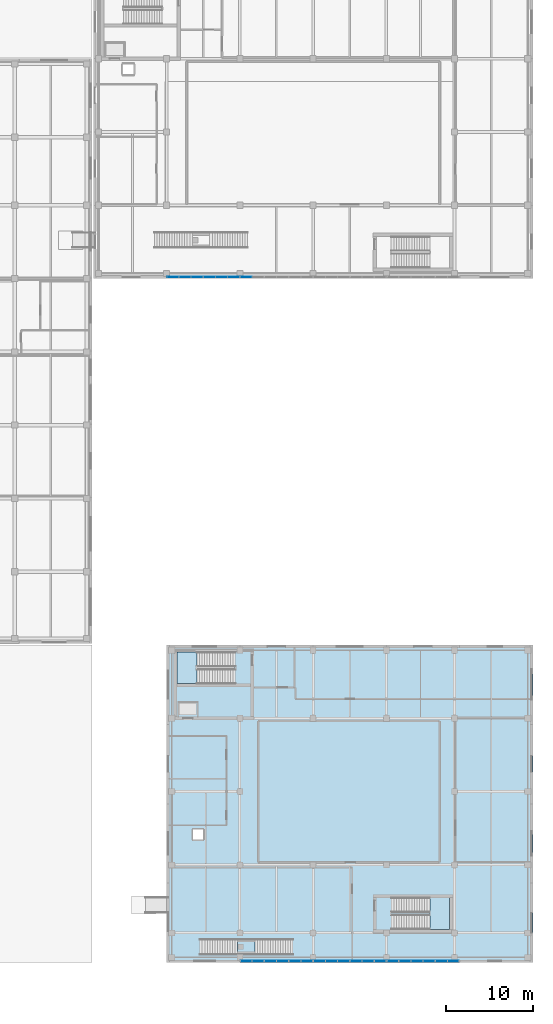
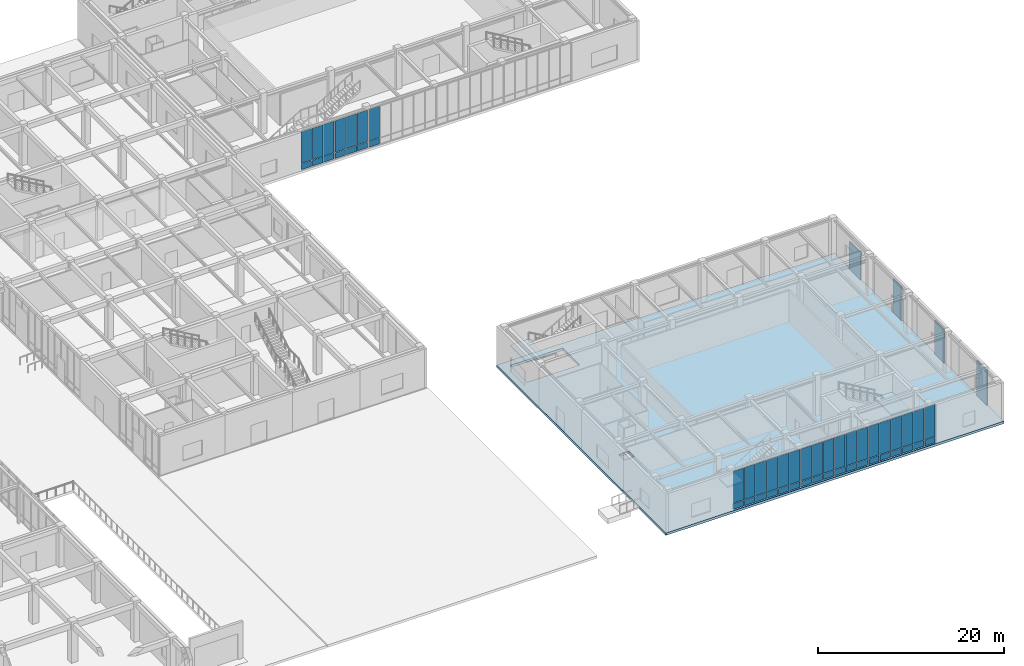
# One storey, part 88 of 122: 54 plates, 4 slabs, 8 elements without a shape of their own.
"""IFC4 building model written with IfcOpenShell, lengths in metres."""

from ifc_helpers import new_model, si_unit, direction, frame, origin, origin_2d, place, context, subcontext, project, spatial, polyline, rectangle, outline, extrude, material, layer, layer_set, type_object, element, aggregate, save


model = new_model("IFC4")

# Units and contexts
model_context = context("Model", 3, precision=1e-05, world=origin(), true_north=direction((0.0, 1.0)))
body_context = subcontext(model_context, "Body", "Model", "MODEL_VIEW")
ifc_project = project(units=[si_unit("LENGTHUNIT", "METRE"), si_unit("AREAUNIT", "SQUARE_METRE"), si_unit("VOLUMEUNIT", "CUBIC_METRE"), si_unit("PLANEANGLEUNIT", "RADIAN"), si_unit("MASSUNIT", "GRAM", prefix="KILO")], contexts=[model_context])

# Site, building, storey
site_placement = place(None, origin())
site = spatial("IfcSite", under=ifc_project, at=site_placement, CompositionType="ELEMENT")
building_placement = place(site_placement, origin())
building = spatial("IfcBuilding", under=site, at=building_placement, Name="Zayran Congress Hotel", CompositionType="ELEMENT")
storey_placement = place(building_placement, origin())
storey = spatial("IfcBuildingStorey", under=building, at=storey_placement, Name="L00", CompositionType="ELEMENT", Elevation=0.0)

# Slab
ifc_material_1 = material(Name="Concrete C32/40", Category="concrete")
ifc_layer_1 = layer(ifc_material_1, 0.320068359375)
ifc_layer_set_1 = layer_set([ifc_layer_1], Name="Concrete C32/40")
slab_type_1 = type_object("IfcSlabType", Name="SL-PD-320", PredefinedType="FLOOR", material=ifc_layer_set_1)
slab_1_placement = place(storey_placement, frame((0.0, 0.0, -0.320068359375)))
element("IfcSlab", 1, at=slab_1_placement, inside=storey, type_object=slab_type_1, Name="SLB-V3-L00-013", PredefinedType="FLOOR", context=body_context, shape_type="SweptSolid", body=[
    extrude(outline(polyline([(151.199951171875, 6.0), (193.199951171875, 6.0), (193.199951171875, 42.39990234375), (151.199951171875, 42.39990234375), (151.199951171875, 6.0)]), holes=[polyline([(152.39990234375, 37.9599609375), (158.9599609375, 37.9599609375), (158.9599609375, 41.60009765625), (152.39990234375, 41.60009765625), (152.39990234375, 37.9599609375)]), polyline([(154.199951171875, 20.10009765625), (155.419921875, 20.10009765625), (155.419921875, 21.280029296875), (154.199951171875, 21.280029296875), (154.199951171875, 20.10009765625)])]), origin(), (0.0, 0.0, 1.0), 0.320068359375),
])

# Plates
ifc_material_2 = material(Name="Ajlun reconstituted limestone claustra", Category="masonry")
ifc_layer_2 = layer(ifc_material_2, 0.139892578125)
ifc_layer_set_2 = layer_set([ifc_layer_2], Name="Ajlun reconstituted limestone claustra")
plate_type_1 = type_object("IfcPlateType", Name="TP-CLS-02", PredefinedType="USERDEFINED", material=ifc_layer_set_2)
plate_1_placement = place(storey_placement, frame((193.1201171875, 10.550048828125, 0.0), z_axis=(0.0, 0.0, 1.0), x_axis=(0.0, 1.0, 0.0)))
element("IfcPlate", 2, at=plate_1_placement, inside=storey, type_object=plate_type_1, Name="Pierced Claustra Screen 1", ObjectType="CLAUSTRA SCREEN", PredefinedType="USERDEFINED", context=body_context, shape_type="SweptSolid", body=[
    extrude(rectangle(XDim=2.199951171875, YDim=0.139892578125, at=origin_2d()), origin(), (0.0, 0.0, 1.0), 4.60009765625),
])
ifc_layer_3 = layer(ifc_material_2, 0.139892578125)
ifc_layer_set_3 = layer_set([ifc_layer_3], Name="Ajlun reconstituted limestone claustra")
plate_type_2 = type_object("IfcPlateType", Name="TP-CLS-03", PredefinedType="USERDEFINED", material=ifc_layer_set_3)
plate_2_placement = place(storey_placement, frame((193.1201171875, 19.64990234375, 0.0), z_axis=(0.0, 0.0, 1.0), x_axis=(0.0, 1.0, 0.0)))
element("IfcPlate", 3, at=plate_2_placement, inside=storey, type_object=plate_type_2, Name="Pierced Claustra Screen 2", ObjectType="CLAUSTRA SCREEN", PredefinedType="USERDEFINED", context=body_context, shape_type="SweptSolid", body=[
    extrude(rectangle(XDim=2.0, YDim=0.139892578125, at=origin_2d()), origin(), (0.0, 0.0, 1.0), 4.39990234375),
])
ifc_layer_4 = layer(ifc_material_2, 0.139892578125)
ifc_layer_set_4 = layer_set([ifc_layer_4], Name="Ajlun reconstituted limestone claustra")
plate_type_3 = type_object("IfcPlateType", Name="TP-CLS-04", PredefinedType="USERDEFINED", material=ifc_layer_set_4)
plate_3_placement = place(storey_placement, frame((193.1201171875, 28.75, 0.0), z_axis=(0.0, 0.0, 1.0), x_axis=(0.0, 1.0, 0.0)))
element("IfcPlate", 4, at=plate_3_placement, inside=storey, type_object=plate_type_3, Name="Pierced Claustra Screen 3", ObjectType="CLAUSTRA SCREEN", PredefinedType="USERDEFINED", context=body_context, shape_type="SweptSolid", body=[
    extrude(rectangle(XDim=1.800048828125, YDim=0.139892578125, at=origin_2d()), origin(), (0.0, 0.0, 1.0), 4.39990234375),
])
ifc_layer_5 = layer(ifc_material_2, 0.1201171875)
ifc_layer_set_5 = layer_set([ifc_layer_5], Name="Ajlun reconstituted limestone claustra")
plate_type_4 = type_object("IfcPlateType", Name="TP-CLS-05", PredefinedType="USERDEFINED", material=ifc_layer_set_5)
plate_4_placement = place(storey_placement, frame((193.1201171875, 37.85009765625, 0.0), z_axis=(0.0, 0.0, 1.0), x_axis=(0.0, 1.0, 0.0)))
element("IfcPlate", 5, at=plate_4_placement, inside=storey, type_object=plate_type_4, Name="Pierced Claustra Screen 4", ObjectType="CLAUSTRA SCREEN", PredefinedType="USERDEFINED", context=body_context, shape_type="SweptSolid", body=[
    extrude(rectangle(XDim=2.39990234375, YDim=0.1201171875, at=origin_2d()), origin(), (0.0, 0.0, 1.0), 3.60009765625),
])

# Curtain wall, plates
ifc_material_3 = material(Name="Anodised aluminium and low-E insulated glass", Category="aluminium")
ifc_layer_6 = layer(ifc_material_3, 0.179931640625)
ifc_layer_set_6 = layer_set([ifc_layer_6], Name="Anodised aluminium and low-E insulated glass")
curtain_wall_type_1 = type_object("IfcCurtainWallType", Name="CW-V2S-L00-CW-V22-8395-5080", PredefinedType="USERDEFINED", material=ifc_layer_set_6)
curtain_wall_1_placement = place(storey_placement, origin())
curtain_wall_1 = element("IfcCurtainWall", 6, at=curtain_wall_1_placement, inside=storey, type_object=curtain_wall_type_1, Name="CW-V2S-L00-1", ObjectType="CURTAIN WALL", PredefinedType="USERDEFINED")
ifc_layer_7 = layer(ifc_material_3, 0.028076171875)
ifc_layer_set_7 = layer_set([ifc_layer_7], Name="Anodised aluminium and low-E insulated glass")
plate_type_5 = type_object("IfcPlateType", Name="CWP-GL-1279-4150", PredefinedType="CURTAIN_PANEL", material=ifc_layer_set_7)
plate_5_placement = place(storey_placement, frame((151.919677734375, 84.570068359375, 0.8701171875), z_axis=(0.0, 0.0, 1.0), x_axis=(1.0, 0.0, 0.0)))
plate_5 = element("IfcPlate", 7, at=plate_5_placement, type_object=plate_type_5, Name="CW-V22 Glazed Panel 1", PredefinedType="CURTAIN_PANEL", context=body_context, shape_type="SweptSolid", body=[
    extrude(rectangle(XDim=1.279296875, YDim=0.028076171875, at=origin_2d()), origin(), (0.0, 0.0, 1.0), 4.14990234375),
])
plate_6_placement = place(storey_placement, frame((153.298583984375, 84.570068359375, 0.8701171875), z_axis=(0.0, 0.0, 1.0), x_axis=(1.0, 0.0, 0.0)))
plate_6 = element("IfcPlate", 8, at=plate_6_placement, type_object=plate_type_5, Name="CW-V22 Glazed Panel 2", PredefinedType="CURTAIN_PANEL", context=body_context, shape_type="SweptSolid", body=[
    extrude(rectangle(XDim=1.319091796875, YDim=0.028076171875, at=origin_2d()), origin(), (0.0, 0.0, 1.0), 4.14990234375),
])
plate_7_placement = place(storey_placement, frame((154.697998046875, 84.570068359375, 0.8701171875), z_axis=(0.0, 0.0, 1.0), x_axis=(1.0, 0.0, 0.0)))
plate_7 = element("IfcPlate", 9, at=plate_7_placement, type_object=plate_type_5, Name="CW-V22 Glazed Panel 3", PredefinedType="CURTAIN_PANEL", context=body_context, shape_type="SweptSolid", body=[
    extrude(rectangle(XDim=1.319091796875, YDim=0.028076171875, at=origin_2d()), origin(), (0.0, 0.0, 1.0), 4.14990234375),
])
plate_8_placement = place(storey_placement, frame((156.09716796875, 84.570068359375, 0.8701171875), z_axis=(0.0, 0.0, 1.0), x_axis=(1.0, 0.0, 0.0)))
plate_8 = element("IfcPlate", 10, at=plate_8_placement, type_object=plate_type_5, Name="CW-V22 Glazed Panel 4", PredefinedType="CURTAIN_PANEL", context=body_context, shape_type="SweptSolid", body=[
    extrude(rectangle(XDim=1.319091796875, YDim=0.028076171875, at=origin_2d()), origin(), (0.0, 0.0, 1.0), 4.14990234375),
])
plate_9_placement = place(storey_placement, frame((157.496337890625, 84.570068359375, 0.8701171875), z_axis=(0.0, 0.0, 1.0), x_axis=(1.0, 0.0, 0.0)))
plate_9 = element("IfcPlate", 11, at=plate_9_placement, type_object=plate_type_5, Name="CW-V22 Glazed Panel 5", PredefinedType="CURTAIN_PANEL", context=body_context, shape_type="SweptSolid", body=[
    extrude(rectangle(XDim=1.319091796875, YDim=0.028076171875, at=origin_2d()), origin(), (0.0, 0.0, 1.0), 4.14990234375),
])
plate_10_placement = place(storey_placement, frame((158.87548828125, 84.570068359375, 0.8701171875), z_axis=(0.0, 0.0, 1.0), x_axis=(1.0, 0.0, 0.0)))
plate_10 = element("IfcPlate", 12, at=plate_10_placement, type_object=plate_type_5, Name="CW-V22 Glazed Panel 6", PredefinedType="CURTAIN_PANEL", context=body_context, shape_type="SweptSolid", body=[
    extrude(rectangle(XDim=1.279296875, YDim=0.028076171875, at=origin_2d()), origin(), (0.0, 0.0, 1.0), 4.14990234375),
])
ifc_material_4 = material(Name="Insulated warm bronze aluminium spandrel panel", Category="aluminium")
ifc_layer_8 = layer(ifc_material_4, 0.06005859375)
ifc_layer_set_8 = layer_set([ifc_layer_8], Name="Insulated warm bronze aluminium spandrel panel")
plate_type_6 = type_object("IfcPlateType", Name="CWP-SP-1279-750", PredefinedType="CURTAIN_PANEL", material=ifc_layer_set_8)
plate_11_placement = place(storey_placement, frame((151.919677734375, 84.570068359375, 0.06005859375), z_axis=(0.0, 0.0, 1.0), x_axis=(1.0, 0.0, 0.0)))
plate_11 = element("IfcPlate", 13, at=plate_11_placement, type_object=plate_type_6, Name="CW-V22 Spandrel Panel 1", PredefinedType="CURTAIN_PANEL", context=body_context, shape_type="SweptSolid", body=[
    extrude(rectangle(XDim=1.279296875, YDim=0.06005859375, at=origin_2d()), origin(), (0.0, 0.0, 1.0), 0.75),
])
plate_12_placement = place(storey_placement, frame((153.298583984375, 84.570068359375, 0.06005859375), z_axis=(0.0, 0.0, 1.0), x_axis=(1.0, 0.0, 0.0)))
plate_12 = element("IfcPlate", 14, at=plate_12_placement, type_object=plate_type_6, Name="CW-V22 Spandrel Panel 2", PredefinedType="CURTAIN_PANEL", context=body_context, shape_type="SweptSolid", body=[
    extrude(rectangle(XDim=1.319091796875, YDim=0.06005859375, at=origin_2d()), origin(), (0.0, 0.0, 1.0), 0.75),
])
plate_13_placement = place(storey_placement, frame((154.697998046875, 84.570068359375, 0.06005859375), z_axis=(0.0, 0.0, 1.0), x_axis=(1.0, 0.0, 0.0)))
plate_13 = element("IfcPlate", 15, at=plate_13_placement, type_object=plate_type_6, Name="CW-V22 Spandrel Panel 3", PredefinedType="CURTAIN_PANEL", context=body_context, shape_type="SweptSolid", body=[
    extrude(rectangle(XDim=1.319091796875, YDim=0.06005859375, at=origin_2d()), origin(), (0.0, 0.0, 1.0), 0.75),
])
plate_14_placement = place(storey_placement, frame((156.09716796875, 84.570068359375, 0.06005859375), z_axis=(0.0, 0.0, 1.0), x_axis=(1.0, 0.0, 0.0)))
plate_14 = element("IfcPlate", 16, at=plate_14_placement, type_object=plate_type_6, Name="CW-V22 Spandrel Panel 4", PredefinedType="CURTAIN_PANEL", context=body_context, shape_type="SweptSolid", body=[
    extrude(rectangle(XDim=1.319091796875, YDim=0.06005859375, at=origin_2d()), origin(), (0.0, 0.0, 1.0), 0.75),
])
plate_15_placement = place(storey_placement, frame((157.496337890625, 84.570068359375, 0.06005859375), z_axis=(0.0, 0.0, 1.0), x_axis=(1.0, 0.0, 0.0)))
plate_15 = element("IfcPlate", 17, at=plate_15_placement, type_object=plate_type_6, Name="CW-V22 Spandrel Panel 5", PredefinedType="CURTAIN_PANEL", context=body_context, shape_type="SweptSolid", body=[
    extrude(rectangle(XDim=1.319091796875, YDim=0.06005859375, at=origin_2d()), origin(), (0.0, 0.0, 1.0), 0.75),
])
plate_16_placement = place(storey_placement, frame((158.87548828125, 84.570068359375, 0.06005859375), z_axis=(0.0, 0.0, 1.0), x_axis=(1.0, 0.0, 0.0)))
plate_16 = element("IfcPlate", 18, at=plate_16_placement, type_object=plate_type_6, Name="CW-V22 Spandrel Panel 6", PredefinedType="CURTAIN_PANEL", context=body_context, shape_type="SweptSolid", body=[
    extrude(rectangle(XDim=1.279296875, YDim=0.06005859375, at=origin_2d()), origin(), (0.0, 0.0, 1.0), 0.75),
])
aggregate(curtain_wall_1, [plate_11, plate_5, plate_12, plate_6, plate_13, plate_7, plate_14, plate_8, plate_15, plate_9, plate_16, plate_10])

ifc_layer_9 = layer(ifc_material_3, 0.179931640625)
ifc_layer_set_9 = layer_set([ifc_layer_9], Name="Anodised aluminium and low-E insulated glass")
curtain_wall_type_2 = type_object("IfcCurtainWallType", Name="CW-V3S-L00-CW-V32-8395-5100", PredefinedType="USERDEFINED", material=ifc_layer_set_9)
curtain_wall_2_placement = place(storey_placement, origin())
curtain_wall_2 = element("IfcCurtainWall", 19, at=curtain_wall_2_placement, inside=storey, type_object=curtain_wall_type_2, Name="CW-V3S-L00-1", ObjectType="CURTAIN WALL", PredefinedType="USERDEFINED")
plate_17_placement = place(storey_placement, frame((160.319580078125, 6.159912109375, 0.06005859375), z_axis=(0.0, 0.0, 1.0), x_axis=(1.0, 0.0, 0.0)))
plate_17 = element("IfcPlate", 20, at=plate_17_placement, type_object=plate_type_6, Name="CW-V32 Spandrel Panel 1", PredefinedType="CURTAIN_PANEL", context=body_context, shape_type="SweptSolid", body=[
    extrude(rectangle(XDim=1.279296875, YDim=0.06005859375, at=origin_2d()), origin(), (0.0, 0.0, 1.0), 0.75),
])
plate_18_placement = place(storey_placement, frame((161.69873046875, 6.159912109375, 0.06005859375), z_axis=(0.0, 0.0, 1.0), x_axis=(1.0, 0.0, 0.0)))
plate_18 = element("IfcPlate", 21, at=plate_18_placement, type_object=plate_type_6, Name="CW-V32 Spandrel Panel 2", PredefinedType="CURTAIN_PANEL", context=body_context, shape_type="SweptSolid", body=[
    extrude(rectangle(XDim=1.319091796875, YDim=0.06005859375, at=origin_2d()), origin(), (0.0, 0.0, 1.0), 0.75),
])
plate_19_placement = place(storey_placement, frame((163.097900390625, 6.159912109375, 0.06005859375), z_axis=(0.0, 0.0, 1.0), x_axis=(1.0, 0.0, 0.0)))
plate_19 = element("IfcPlate", 22, at=plate_19_placement, type_object=plate_type_6, Name="CW-V32 Spandrel Panel 3", PredefinedType="CURTAIN_PANEL", context=body_context, shape_type="SweptSolid", body=[
    extrude(rectangle(XDim=1.319091796875, YDim=0.06005859375, at=origin_2d()), origin(), (0.0, 0.0, 1.0), 0.75),
])
plate_20_placement = place(storey_placement, frame((164.4970703125, 6.159912109375, 0.06005859375), z_axis=(0.0, 0.0, 1.0), x_axis=(1.0, 0.0, 0.0)))
plate_20 = element("IfcPlate", 23, at=plate_20_placement, type_object=plate_type_6, Name="CW-V32 Spandrel Panel 4", PredefinedType="CURTAIN_PANEL", context=body_context, shape_type="SweptSolid", body=[
    extrude(rectangle(XDim=1.319091796875, YDim=0.06005859375, at=origin_2d()), origin(), (0.0, 0.0, 1.0), 0.75),
])
plate_21_placement = place(storey_placement, frame((165.896240234375, 6.159912109375, 0.06005859375), z_axis=(0.0, 0.0, 1.0), x_axis=(1.0, 0.0, 0.0)))
plate_21 = element("IfcPlate", 24, at=plate_21_placement, type_object=plate_type_6, Name="CW-V32 Spandrel Panel 5", PredefinedType="CURTAIN_PANEL", context=body_context, shape_type="SweptSolid", body=[
    extrude(rectangle(XDim=1.319091796875, YDim=0.06005859375, at=origin_2d()), origin(), (0.0, 0.0, 1.0), 0.75),
])
plate_22_placement = place(storey_placement, frame((167.275390625, 6.159912109375, 0.06005859375), z_axis=(0.0, 0.0, 1.0), x_axis=(1.0, 0.0, 0.0)))
plate_22 = element("IfcPlate", 25, at=plate_22_placement, type_object=plate_type_6, Name="CW-V32 Spandrel Panel 6", PredefinedType="CURTAIN_PANEL", context=body_context, shape_type="SweptSolid", body=[
    extrude(rectangle(XDim=1.279296875, YDim=0.06005859375, at=origin_2d()), origin(), (0.0, 0.0, 1.0), 0.75),
])

curtain_wall_3_placement = place(storey_placement, origin())
curtain_wall_3 = element("IfcCurtainWall", 26, at=curtain_wall_3_placement, inside=storey, type_object=curtain_wall_type_2, Name="CW-V3S-L00-3", ObjectType="CURTAIN WALL", PredefinedType="USERDEFINED")
plate_23_placement = place(storey_placement, frame((177.12451171875, 6.159912109375, 0.06005859375), z_axis=(0.0, 0.0, 1.0), x_axis=(1.0, 0.0, 0.0)))
plate_23 = element("IfcPlate", 27, at=plate_23_placement, type_object=plate_type_6, Name="CW-V32 Spandrel Panel 1", PredefinedType="CURTAIN_PANEL", context=body_context, shape_type="SweptSolid", body=[
    extrude(rectangle(XDim=1.279296875, YDim=0.06005859375, at=origin_2d()), origin(), (0.0, 0.0, 1.0), 0.75),
])
plate_24_placement = place(storey_placement, frame((178.503662109375, 6.159912109375, 0.06005859375), z_axis=(0.0, 0.0, 1.0), x_axis=(1.0, 0.0, 0.0)))
plate_24 = element("IfcPlate", 28, at=plate_24_placement, type_object=plate_type_6, Name="CW-V32 Spandrel Panel 2", PredefinedType="CURTAIN_PANEL", context=body_context, shape_type="SweptSolid", body=[
    extrude(rectangle(XDim=1.319091796875, YDim=0.06005859375, at=origin_2d()), origin(), (0.0, 0.0, 1.0), 0.75),
])
plate_25_placement = place(storey_placement, frame((179.90283203125, 6.159912109375, 0.06005859375), z_axis=(0.0, 0.0, 1.0), x_axis=(1.0, 0.0, 0.0)))
plate_25 = element("IfcPlate", 29, at=plate_25_placement, type_object=plate_type_6, Name="CW-V32 Spandrel Panel 3", PredefinedType="CURTAIN_PANEL", context=body_context, shape_type="SweptSolid", body=[
    extrude(rectangle(XDim=1.319091796875, YDim=0.06005859375, at=origin_2d()), origin(), (0.0, 0.0, 1.0), 0.75),
])
plate_26_placement = place(storey_placement, frame((181.302001953125, 6.159912109375, 0.06005859375), z_axis=(0.0, 0.0, 1.0), x_axis=(1.0, 0.0, 0.0)))
plate_26 = element("IfcPlate", 30, at=plate_26_placement, type_object=plate_type_6, Name="CW-V32 Spandrel Panel 4", PredefinedType="CURTAIN_PANEL", context=body_context, shape_type="SweptSolid", body=[
    extrude(rectangle(XDim=1.319091796875, YDim=0.06005859375, at=origin_2d()), origin(), (0.0, 0.0, 1.0), 0.75),
])
plate_27_placement = place(storey_placement, frame((182.701416015625, 6.159912109375, 0.06005859375), z_axis=(0.0, 0.0, 1.0), x_axis=(1.0, 0.0, 0.0)))
plate_27 = element("IfcPlate", 31, at=plate_27_placement, type_object=plate_type_6, Name="CW-V32 Spandrel Panel 5", PredefinedType="CURTAIN_PANEL", context=body_context, shape_type="SweptSolid", body=[
    extrude(rectangle(XDim=1.319091796875, YDim=0.06005859375, at=origin_2d()), origin(), (0.0, 0.0, 1.0), 0.75),
])
plate_28_placement = place(storey_placement, frame((184.080322265625, 6.159912109375, 0.06005859375), z_axis=(0.0, 0.0, 1.0), x_axis=(1.0, 0.0, 0.0)))
plate_28 = element("IfcPlate", 32, at=plate_28_placement, type_object=plate_type_6, Name="CW-V32 Spandrel Panel 6", PredefinedType="CURTAIN_PANEL", context=body_context, shape_type="SweptSolid", body=[
    extrude(rectangle(XDim=1.279296875, YDim=0.06005859375, at=origin_2d()), origin(), (0.0, 0.0, 1.0), 0.75),
])

ifc_layer_10 = layer(ifc_material_3, 0.179931640625)
ifc_layer_set_10 = layer_set([ifc_layer_10], Name="Anodised aluminium and low-E insulated glass")
curtain_wall_type_3 = type_object("IfcCurtainWallType", Name="CW-V2S-L00-CW-V21-8390-5080", PredefinedType="USERDEFINED", material=ifc_layer_set_10)
curtain_wall_4_placement = place(storey_placement, origin())
curtain_wall_4 = element("IfcCurtainWall", 33, at=curtain_wall_4_placement, inside=storey, type_object=curtain_wall_type_3, Name="CW-V2S-L00-2", ObjectType="CURTAIN WALL", PredefinedType="USERDEFINED")
ifc_layer_11 = layer(ifc_material_3, 0.028076171875)
ifc_layer_set_11 = layer_set([ifc_layer_11], Name="Anodised aluminium and low-E insulated glass")
plate_type_7 = type_object("IfcPlateType", Name="CWP-GL-1278-4150", PredefinedType="CURTAIN_PANEL", material=ifc_layer_set_11)
plate_29_placement = place(storey_placement, frame((160.32421875, 84.570068359375, 0.8701171875), z_axis=(0.0, 0.0, 1.0), x_axis=(1.0, 0.0, 0.0)))
plate_29 = element("IfcPlate", 34, at=plate_29_placement, type_object=plate_type_7, Name="CW-V21 Glazed Panel 1", PredefinedType="CURTAIN_PANEL", context=body_context, shape_type="SweptSolid", body=[
    extrude(rectangle(XDim=1.2783203125, YDim=0.028076171875, at=origin_2d()), origin(), (0.0, 0.0, 1.0), 4.14990234375),
])
ifc_layer_12 = layer(ifc_material_4, 0.06005859375)
ifc_layer_set_12 = layer_set([ifc_layer_12], Name="Insulated warm bronze aluminium spandrel panel")
plate_type_8 = type_object("IfcPlateType", Name="CWP-SP-1278-750", PredefinedType="CURTAIN_PANEL", material=ifc_layer_set_12)
plate_30_placement = place(storey_placement, frame((160.32421875, 84.570068359375, 0.06005859375), z_axis=(0.0, 0.0, 1.0), x_axis=(1.0, 0.0, 0.0)))
plate_30 = element("IfcPlate", 35, at=plate_30_placement, type_object=plate_type_8, Name="CW-V21 Spandrel Panel 1", PredefinedType="CURTAIN_PANEL", context=body_context, shape_type="SweptSolid", body=[
    extrude(rectangle(XDim=1.2783203125, YDim=0.06005859375, at=origin_2d()), origin(), (0.0, 0.0, 1.0), 0.75),
])
aggregate(curtain_wall_4, [plate_30, plate_29])

ifc_layer_13 = layer(ifc_material_3, 0.179931640625)
ifc_layer_set_13 = layer_set([ifc_layer_13], Name="Anodised aluminium and low-E insulated glass")
curtain_wall_type_4 = type_object("IfcCurtainWallType", Name="CW-V3S-L00-CW-V31-8390-5100", PredefinedType="USERDEFINED", material=ifc_layer_set_13)
curtain_wall_5_placement = place(storey_placement, origin())
curtain_wall_5 = element("IfcCurtainWall", 36, at=curtain_wall_5_placement, inside=storey, type_object=curtain_wall_type_4, Name="CW-V3S-L00-2", ObjectType="CURTAIN WALL", PredefinedType="USERDEFINED")
plate_31_placement = place(storey_placement, frame((168.72412109375, 6.159912109375, 0.06005859375), z_axis=(0.0, 0.0, 1.0), x_axis=(1.0, 0.0, 0.0)))
plate_31 = element("IfcPlate", 37, at=plate_31_placement, type_object=plate_type_8, Name="CW-V31 Spandrel Panel 1", PredefinedType="CURTAIN_PANEL", context=body_context, shape_type="SweptSolid", body=[
    extrude(rectangle(XDim=1.2783203125, YDim=0.06005859375, at=origin_2d()), origin(), (0.0, 0.0, 1.0), 0.75),
])
plate_32_placement = place(storey_placement, frame((170.1025390625, 6.159912109375, 0.06005859375), z_axis=(0.0, 0.0, 1.0), x_axis=(1.0, 0.0, 0.0)))
plate_32 = element("IfcPlate", 38, at=plate_32_placement, type_object=plate_type_8, Name="CW-V31 Spandrel Panel 2", PredefinedType="CURTAIN_PANEL", context=body_context, shape_type="SweptSolid", body=[
    extrude(rectangle(XDim=1.318359375, YDim=0.06005859375, at=origin_2d()), origin(), (0.0, 0.0, 1.0), 0.75),
])
plate_33_placement = place(storey_placement, frame((171.500732421875, 6.159912109375, 0.06005859375), z_axis=(0.0, 0.0, 1.0), x_axis=(1.0, 0.0, 0.0)))
plate_33 = element("IfcPlate", 39, at=plate_33_placement, type_object=plate_type_8, Name="CW-V31 Spandrel Panel 3", PredefinedType="CURTAIN_PANEL", context=body_context, shape_type="SweptSolid", body=[
    extrude(rectangle(XDim=1.318359375, YDim=0.06005859375, at=origin_2d()), origin(), (0.0, 0.0, 1.0), 0.75),
])
plate_34_placement = place(storey_placement, frame((172.899169921875, 6.159912109375, 0.06005859375), z_axis=(0.0, 0.0, 1.0), x_axis=(1.0, 0.0, 0.0)))
plate_34 = element("IfcPlate", 40, at=plate_34_placement, type_object=plate_type_8, Name="CW-V31 Spandrel Panel 4", PredefinedType="CURTAIN_PANEL", context=body_context, shape_type="SweptSolid", body=[
    extrude(rectangle(XDim=1.318359375, YDim=0.06005859375, at=origin_2d()), origin(), (0.0, 0.0, 1.0), 0.75),
])
plate_35_placement = place(storey_placement, frame((174.297607421875, 6.159912109375, 0.06005859375), z_axis=(0.0, 0.0, 1.0), x_axis=(1.0, 0.0, 0.0)))
plate_35 = element("IfcPlate", 41, at=plate_35_placement, type_object=plate_type_8, Name="CW-V31 Spandrel Panel 5", PredefinedType="CURTAIN_PANEL", context=body_context, shape_type="SweptSolid", body=[
    extrude(rectangle(XDim=1.318359375, YDim=0.06005859375, at=origin_2d()), origin(), (0.0, 0.0, 1.0), 0.75),
])
plate_36_placement = place(storey_placement, frame((175.67578125, 6.159912109375, 0.06005859375), z_axis=(0.0, 0.0, 1.0), x_axis=(1.0, 0.0, 0.0)))
plate_36 = element("IfcPlate", 42, at=plate_36_placement, type_object=plate_type_8, Name="CW-V31 Spandrel Panel 6", PredefinedType="CURTAIN_PANEL", context=body_context, shape_type="SweptSolid", body=[
    extrude(rectangle(XDim=1.2783203125, YDim=0.06005859375, at=origin_2d()), origin(), (0.0, 0.0, 1.0), 0.75),
])

# Plate
ifc_layer_14 = layer(ifc_material_3, 0.028076171875)
ifc_layer_set_14 = layer_set([ifc_layer_14], Name="Anodised aluminium and low-E insulated glass")
plate_type_9 = type_object("IfcPlateType", Name="CWP-GL-1279-4170", PredefinedType="CURTAIN_PANEL", material=ifc_layer_set_14)
plate_37_placement = place(storey_placement, frame((160.319580078125, 6.159912109375, 0.8701171875), z_axis=(0.0, 0.0, 1.0), x_axis=(1.0, 0.0, 0.0)))
plate_37 = element("IfcPlate", 43, at=plate_37_placement, type_object=plate_type_9, Name="CW-V32 Glazed Panel 1", PredefinedType="CURTAIN_PANEL", context=body_context, shape_type="SweptSolid", body=[
    extrude(rectangle(XDim=1.279296875, YDim=0.028076171875, at=origin_2d()), origin(), (0.0, 0.0, 1.0), 4.169921875),
])

plate_38_placement = place(storey_placement, frame((161.69873046875, 6.159912109375, 0.8701171875), z_axis=(0.0, 0.0, 1.0), x_axis=(1.0, 0.0, 0.0)))
plate_38 = element("IfcPlate", 44, at=plate_38_placement, type_object=plate_type_9, Name="CW-V32 Glazed Panel 2", PredefinedType="CURTAIN_PANEL", context=body_context, shape_type="SweptSolid", body=[
    extrude(rectangle(XDim=1.319091796875, YDim=0.028076171875, at=origin_2d()), origin(), (0.0, 0.0, 1.0), 4.169921875),
])

plate_39_placement = place(storey_placement, frame((163.097900390625, 6.159912109375, 0.8701171875), z_axis=(0.0, 0.0, 1.0), x_axis=(1.0, 0.0, 0.0)))
plate_39 = element("IfcPlate", 45, at=plate_39_placement, type_object=plate_type_9, Name="CW-V32 Glazed Panel 3", PredefinedType="CURTAIN_PANEL", context=body_context, shape_type="SweptSolid", body=[
    extrude(rectangle(XDim=1.319091796875, YDim=0.028076171875, at=origin_2d()), origin(), (0.0, 0.0, 1.0), 4.169921875),
])

plate_40_placement = place(storey_placement, frame((164.4970703125, 6.159912109375, 0.8701171875), z_axis=(0.0, 0.0, 1.0), x_axis=(1.0, 0.0, 0.0)))
plate_40 = element("IfcPlate", 46, at=plate_40_placement, type_object=plate_type_9, Name="CW-V32 Glazed Panel 4", PredefinedType="CURTAIN_PANEL", context=body_context, shape_type="SweptSolid", body=[
    extrude(rectangle(XDim=1.319091796875, YDim=0.028076171875, at=origin_2d()), origin(), (0.0, 0.0, 1.0), 4.169921875),
])

plate_41_placement = place(storey_placement, frame((165.896240234375, 6.159912109375, 0.8701171875), z_axis=(0.0, 0.0, 1.0), x_axis=(1.0, 0.0, 0.0)))
plate_41 = element("IfcPlate", 47, at=plate_41_placement, type_object=plate_type_9, Name="CW-V32 Glazed Panel 5", PredefinedType="CURTAIN_PANEL", context=body_context, shape_type="SweptSolid", body=[
    extrude(rectangle(XDim=1.319091796875, YDim=0.028076171875, at=origin_2d()), origin(), (0.0, 0.0, 1.0), 4.169921875),
])

plate_42_placement = place(storey_placement, frame((167.275390625, 6.159912109375, 0.8701171875), z_axis=(0.0, 0.0, 1.0), x_axis=(1.0, 0.0, 0.0)))
plate_42 = element("IfcPlate", 48, at=plate_42_placement, type_object=plate_type_9, Name="CW-V32 Glazed Panel 6", PredefinedType="CURTAIN_PANEL", context=body_context, shape_type="SweptSolid", body=[
    extrude(rectangle(XDim=1.279296875, YDim=0.028076171875, at=origin_2d()), origin(), (0.0, 0.0, 1.0), 4.169921875),
])

aggregate(curtain_wall_2, [plate_17, plate_37, plate_18, plate_38, plate_19, plate_39, plate_20, plate_40, plate_21, plate_41, plate_22, plate_42])

plate_43_placement = place(storey_placement, frame((177.12451171875, 6.159912109375, 0.8701171875), z_axis=(0.0, 0.0, 1.0), x_axis=(1.0, 0.0, 0.0)))
plate_43 = element("IfcPlate", 49, at=plate_43_placement, type_object=plate_type_9, Name="CW-V32 Glazed Panel 1", PredefinedType="CURTAIN_PANEL", context=body_context, shape_type="SweptSolid", body=[
    extrude(rectangle(XDim=1.279296875, YDim=0.028076171875, at=origin_2d()), origin(), (0.0, 0.0, 1.0), 4.169921875),
])

plate_44_placement = place(storey_placement, frame((178.503662109375, 6.159912109375, 0.8701171875), z_axis=(0.0, 0.0, 1.0), x_axis=(1.0, 0.0, 0.0)))
plate_44 = element("IfcPlate", 50, at=plate_44_placement, type_object=plate_type_9, Name="CW-V32 Glazed Panel 2", PredefinedType="CURTAIN_PANEL", context=body_context, shape_type="SweptSolid", body=[
    extrude(rectangle(XDim=1.319091796875, YDim=0.028076171875, at=origin_2d()), origin(), (0.0, 0.0, 1.0), 4.169921875),
])

plate_45_placement = place(storey_placement, frame((179.90283203125, 6.159912109375, 0.8701171875), z_axis=(0.0, 0.0, 1.0), x_axis=(1.0, 0.0, 0.0)))
plate_45 = element("IfcPlate", 51, at=plate_45_placement, type_object=plate_type_9, Name="CW-V32 Glazed Panel 3", PredefinedType="CURTAIN_PANEL", context=body_context, shape_type="SweptSolid", body=[
    extrude(rectangle(XDim=1.319091796875, YDim=0.028076171875, at=origin_2d()), origin(), (0.0, 0.0, 1.0), 4.169921875),
])

plate_46_placement = place(storey_placement, frame((181.302001953125, 6.159912109375, 0.8701171875), z_axis=(0.0, 0.0, 1.0), x_axis=(1.0, 0.0, 0.0)))
plate_46 = element("IfcPlate", 52, at=plate_46_placement, type_object=plate_type_9, Name="CW-V32 Glazed Panel 4", PredefinedType="CURTAIN_PANEL", context=body_context, shape_type="SweptSolid", body=[
    extrude(rectangle(XDim=1.319091796875, YDim=0.028076171875, at=origin_2d()), origin(), (0.0, 0.0, 1.0), 4.169921875),
])

plate_47_placement = place(storey_placement, frame((182.701416015625, 6.159912109375, 0.8701171875), z_axis=(0.0, 0.0, 1.0), x_axis=(1.0, 0.0, 0.0)))
plate_47 = element("IfcPlate", 53, at=plate_47_placement, type_object=plate_type_9, Name="CW-V32 Glazed Panel 5", PredefinedType="CURTAIN_PANEL", context=body_context, shape_type="SweptSolid", body=[
    extrude(rectangle(XDim=1.319091796875, YDim=0.028076171875, at=origin_2d()), origin(), (0.0, 0.0, 1.0), 4.169921875),
])

plate_48_placement = place(storey_placement, frame((184.080322265625, 6.159912109375, 0.8701171875), z_axis=(0.0, 0.0, 1.0), x_axis=(1.0, 0.0, 0.0)))
plate_48 = element("IfcPlate", 54, at=plate_48_placement, type_object=plate_type_9, Name="CW-V32 Glazed Panel 6", PredefinedType="CURTAIN_PANEL", context=body_context, shape_type="SweptSolid", body=[
    extrude(rectangle(XDim=1.279296875, YDim=0.028076171875, at=origin_2d()), origin(), (0.0, 0.0, 1.0), 4.169921875),
])

aggregate(curtain_wall_3, [plate_23, plate_43, plate_24, plate_44, plate_25, plate_45, plate_26, plate_46, plate_27, plate_47, plate_28, plate_48])

ifc_layer_15 = layer(ifc_material_3, 0.028076171875)
ifc_layer_set_15 = layer_set([ifc_layer_15], Name="Anodised aluminium and low-E insulated glass")
plate_type_10 = type_object("IfcPlateType", Name="CWP-GL-1278-4170", PredefinedType="CURTAIN_PANEL", material=ifc_layer_set_15)
plate_49_placement = place(storey_placement, frame((168.72412109375, 6.159912109375, 0.8701171875), z_axis=(0.0, 0.0, 1.0), x_axis=(1.0, 0.0, 0.0)))
plate_49 = element("IfcPlate", 55, at=plate_49_placement, type_object=plate_type_10, Name="CW-V31 Glazed Panel 1", PredefinedType="CURTAIN_PANEL", context=body_context, shape_type="SweptSolid", body=[
    extrude(rectangle(XDim=1.2783203125, YDim=0.028076171875, at=origin_2d()), origin(), (0.0, 0.0, 1.0), 4.169921875),
])

plate_50_placement = place(storey_placement, frame((170.1025390625, 6.159912109375, 0.8701171875), z_axis=(0.0, 0.0, 1.0), x_axis=(1.0, 0.0, 0.0)))
plate_50 = element("IfcPlate", 56, at=plate_50_placement, type_object=plate_type_10, Name="CW-V31 Glazed Panel 2", PredefinedType="CURTAIN_PANEL", context=body_context, shape_type="SweptSolid", body=[
    extrude(rectangle(XDim=1.318359375, YDim=0.028076171875, at=origin_2d()), origin(), (0.0, 0.0, 1.0), 4.169921875),
])

plate_51_placement = place(storey_placement, frame((171.500732421875, 6.159912109375, 0.8701171875), z_axis=(0.0, 0.0, 1.0), x_axis=(1.0, 0.0, 0.0)))
plate_51 = element("IfcPlate", 57, at=plate_51_placement, type_object=plate_type_10, Name="CW-V31 Glazed Panel 3", PredefinedType="CURTAIN_PANEL", context=body_context, shape_type="SweptSolid", body=[
    extrude(rectangle(XDim=1.318359375, YDim=0.028076171875, at=origin_2d()), origin(), (0.0, 0.0, 1.0), 4.169921875),
])

plate_52_placement = place(storey_placement, frame((172.899169921875, 6.159912109375, 0.8701171875), z_axis=(0.0, 0.0, 1.0), x_axis=(1.0, 0.0, 0.0)))
plate_52 = element("IfcPlate", 58, at=plate_52_placement, type_object=plate_type_10, Name="CW-V31 Glazed Panel 4", PredefinedType="CURTAIN_PANEL", context=body_context, shape_type="SweptSolid", body=[
    extrude(rectangle(XDim=1.318359375, YDim=0.028076171875, at=origin_2d()), origin(), (0.0, 0.0, 1.0), 4.169921875),
])

plate_53_placement = place(storey_placement, frame((174.297607421875, 6.159912109375, 0.8701171875), z_axis=(0.0, 0.0, 1.0), x_axis=(1.0, 0.0, 0.0)))
plate_53 = element("IfcPlate", 59, at=plate_53_placement, type_object=plate_type_10, Name="CW-V31 Glazed Panel 5", PredefinedType="CURTAIN_PANEL", context=body_context, shape_type="SweptSolid", body=[
    extrude(rectangle(XDim=1.318359375, YDim=0.028076171875, at=origin_2d()), origin(), (0.0, 0.0, 1.0), 4.169921875),
])

plate_54_placement = place(storey_placement, frame((175.67578125, 6.159912109375, 0.8701171875), z_axis=(0.0, 0.0, 1.0), x_axis=(1.0, 0.0, 0.0)))
plate_54 = element("IfcPlate", 60, at=plate_54_placement, type_object=plate_type_10, Name="CW-V31 Glazed Panel 6", PredefinedType="CURTAIN_PANEL", context=body_context, shape_type="SweptSolid", body=[
    extrude(rectangle(XDim=1.2783203125, YDim=0.028076171875, at=origin_2d()), origin(), (0.0, 0.0, 1.0), 4.169921875),
])

aggregate(curtain_wall_5, [plate_31, plate_49, plate_32, plate_50, plate_33, plate_51, plate_34, plate_52, plate_35, plate_53, plate_36, plate_54])

# Stair, slab
stair_type_1 = type_object("IfcStairType", Name="TP-STR-VOM", PredefinedType="STRAIGHT_RUN_STAIR", material=ifc_material_1)
stair_1_placement = place(storey_placement, origin())
stair_1 = element("IfcStair", 61, at=stair_1_placement, inside=storey, type_object=stair_type_1, Name="Straight Run Concourse Stair ST-SPA-05", PredefinedType="STRAIGHT_RUN_STAIR")
ifc_layer_16 = layer(ifc_material_1, 0.199951171875)
ifc_layer_set_16 = layer_set([ifc_layer_16], Name="Concrete C32/40")
slab_type_2 = type_object("IfcSlabType", Name="TP-LND-1600", PredefinedType="LANDING", material=ifc_layer_set_16)
slab_2_placement = place(storey_placement, frame((0.0, 0.0, 2.5)))
slab_2 = element("IfcSlab", 62, at=slab_2_placement, type_object=slab_type_2, Name="ST-SPA-05 landing 1", PredefinedType="LANDING", context=body_context, shape_type="SweptSolid", body=[
    extrude(outline(polyline([(159.35009765625, 6.89990234375), (161.35009765625, 6.89990234375), (161.35009765625, 8.699951171875), (159.35009765625, 8.699951171875), (159.35009765625, 6.89990234375)])), origin(), (0.0, 0.0, 1.0), 0.199951171875),
])
aggregate(stair_1, [slab_2])

stair_type_2 = type_object("IfcStairType", Name="TP-STR-1700-54", PredefinedType="USERDEFINED", material=ifc_material_1)
stair_2_placement = place(storey_placement, origin())
stair_2 = element("IfcStair", 63, at=stair_2_placement, inside=storey, type_object=stair_type_2, Name="L00 ST-11", ObjectType="TWO_RETURN_STAIR", PredefinedType="USERDEFINED")
ifc_layer_17 = layer(ifc_material_1, 0.199951171875)
ifc_layer_set_17 = layer_set([ifc_layer_17], Name="Concrete C32/40")
slab_type_3 = type_object("IfcSlabType", Name="TP-LND-1700", PredefinedType="LANDING", material=ifc_layer_set_17)
slab_3_placement = place(storey_placement, frame((0.0, 0.0, 2.5)))
slab_3 = element("IfcSlab", 64, at=slab_3_placement, type_object=slab_type_3, Name="ST-11 landing 1", PredefinedType="LANDING", context=body_context, shape_type="SweptSolid", body=[
    extrude(outline(polyline([(154.675048828125, 41.60009765625), (152.39990234375, 41.60009765625), (152.39990234375, 37.9599609375), (154.675048828125, 37.9599609375), (154.675048828125, 41.60009765625)])), origin(), (0.0, 0.0, 1.0), 0.199951171875),
])
aggregate(stair_2, [slab_3])

stair_3_placement = place(storey_placement, origin())
stair_3 = element("IfcStair", 65, at=stair_3_placement, inside=storey, type_object=stair_type_2, Name="L00 ST-12", ObjectType="TWO_RETURN_STAIR", PredefinedType="USERDEFINED")
slab_4_placement = place(storey_placement, frame((0.0, 0.0, 2.5)))
slab_4 = element("IfcSlab", 66, at=slab_4_placement, type_object=slab_type_3, Name="ST-12 landing 1", PredefinedType="LANDING", context=body_context, shape_type="SweptSolid", body=[
    extrude(outline(polyline([(181.375, 9.800048828125), (183.64990234375, 9.800048828125), (183.64990234375, 13.43994140625), (181.375, 13.43994140625), (181.375, 9.800048828125)])), origin(), (0.0, 0.0, 1.0), 0.199951171875),
])
aggregate(stair_3, [slab_4])

save(model, "model.ifc")
